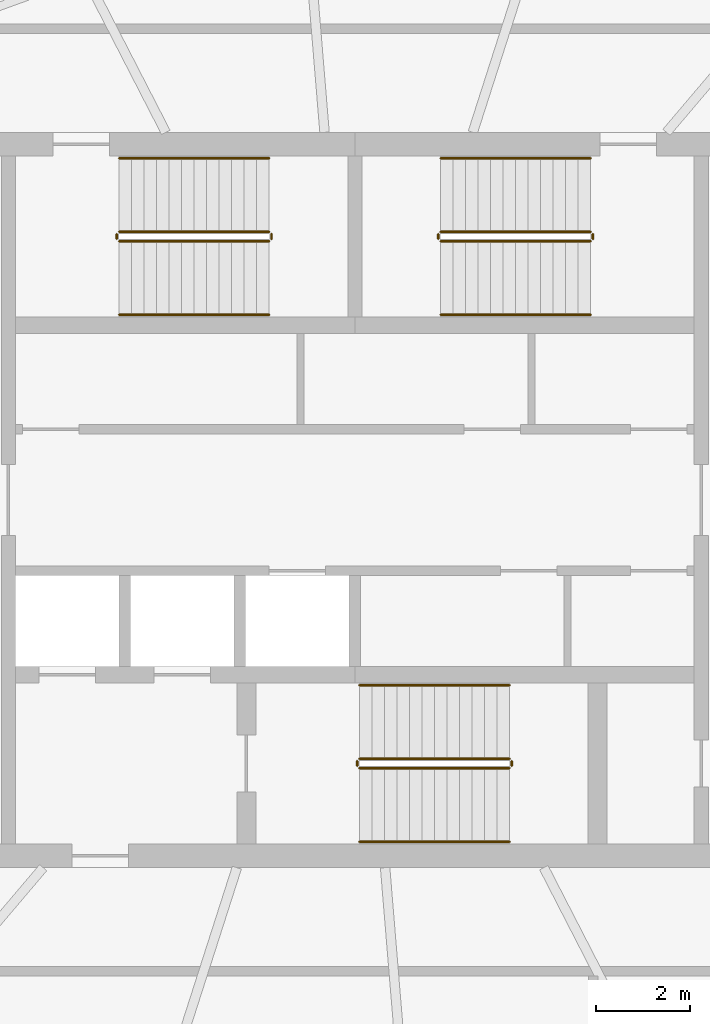
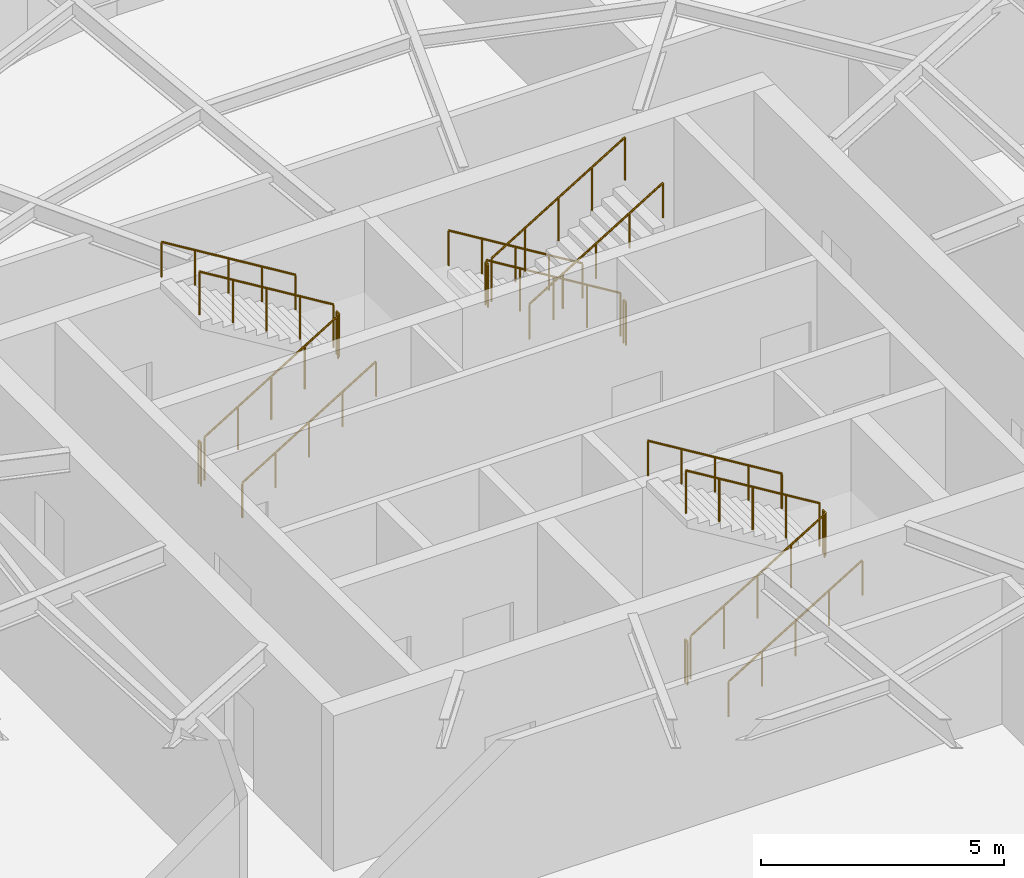
# One storey, part 11 of 11: 18 railings.
"""IFC4 building model written with IfcOpenShell, lengths in metres."""

from ifc_helpers import new_model, si_unit, direction, frame, origin, origin_2d, place, context, subcontext, project, spatial, circle, extrude, material, type_object, element, save


model = new_model("IFC4")

# Units and contexts
model_context = context("Model", 3, precision=1e-05, world=origin(), true_north=direction((0.0, 1.0)))
body_context = subcontext(model_context, "Body", "Model", "MODEL_VIEW")
ifc_project = project(units=[si_unit("LENGTHUNIT", "METRE"), si_unit("AREAUNIT", "SQUARE_METRE"), si_unit("VOLUMEUNIT", "CUBIC_METRE"), si_unit("PLANEANGLEUNIT", "RADIAN"), si_unit("MASSUNIT", "GRAM", prefix="KILO")], contexts=[model_context])

# Site, building, storey
site_placement = place(None, origin())
site = spatial("IfcSite", under=ifc_project, at=site_placement, CompositionType="ELEMENT")
building_placement = place(site_placement, origin())
building = spatial("IfcBuilding", under=site, at=building_placement, Name="Vermilion Reach Broadcast Tower", CompositionType="ELEMENT")
storey_placement = place(building_placement, frame((0.0, 0.0, 317.10009765625)))
storey = spatial("IfcBuildingStorey", under=building, at=storey_placement, Name="L79 CROWN", CompositionType="ELEMENT", Elevation=317.10009765625)

# Railings
ifc_material_1 = material(Name="Stainless steel", Category="steel")
railing_type_1 = type_object("IfcRailingType", Name="Stair guard 1100", PredefinedType="GUARDRAIL", material=ifc_material_1)
railing_1_placement = place(storey_placement, frame((-11.0, 5.489990234375, 0.161376953125)))
element("IfcRailing", 1, at=railing_1_placement, inside=storey, type_object=railing_type_1, Name="L79 CROWN ST1 stair guard 1", PredefinedType="GUARDRAIL", context=body_context, shape_type="SweptSolid", body=[
    extrude(circle(Radius=0.02392578125, at=origin_2d()), frame((0.0, 0.0, 1.076171875), z_axis=(0.853856579767, 0.0, 0.520508348818), x_axis=(0.0, 1.0, 0.0)), (0.0, 0.0, 1.0), 3.72412109375),
    extrude(circle(Radius=0.02099609375, at=origin_2d()), origin(), (0.0, 0.0, 1.0), 1.052001953125),
    extrude(circle(Radius=0.02099609375, at=origin_2d()), frame((0.794921875, 0.0, 0.484619140625)), (0.0, 0.0, 1.0), 1.052001953125),
    extrude(circle(Radius=0.02099609375, at=origin_2d()), frame((1.58984375, 0.0, 0.96923828125)), (0.0, 0.0, 1.0), 1.052001953125),
    extrude(circle(Radius=0.02099609375, at=origin_2d()), frame((2.385009765625, 0.0, 1.453857421875)), (0.0, 0.0, 1.0), 1.052001953125),
    extrude(circle(Radius=0.02099609375, at=origin_2d()), frame((3.179931640625, 0.0, 1.9384765625)), (0.0, 0.0, 1.0), 1.052001953125),
])
railing_2_placement = place(storey_placement, frame((-7.77001953125, 5.5400390625, 2.099853515625)))
element("IfcRailing", 2, at=railing_2_placement, inside=storey, type_object=railing_type_1, Name="L79 CROWN ST1 stair guard 2", PredefinedType="GUARDRAIL", context=body_context, shape_type="SweptSolid", body=[
    extrude(circle(Radius=0.02392578125, at=origin_2d()), frame((0.0, 0.0, 1.076171875), z_axis=(0.0, 1.0, 0.0), x_axis=(-1.0, 0.0, 0.0)), (0.0, 0.0, 1.0), 0.099853515625),
    extrude(circle(Radius=0.02099609375, at=origin_2d()), origin(), (0.0, 0.0, 1.0), 1.052001953125),
    extrude(circle(Radius=0.02099609375, at=origin_2d()), frame((0.0, 0.099853515625, 0.0)), (0.0, 0.0, 1.0), 1.052001953125),
])
railing_3_placement = place(storey_placement, frame((-7.820068359375, 5.68994140625, 2.261474609375)))
element("IfcRailing", 3, at=railing_3_placement, inside=storey, type_object=railing_type_1, Name="L79 CROWN ST1 stair guard 3", PredefinedType="GUARDRAIL", context=body_context, shape_type="SweptSolid", body=[
    extrude(circle(Radius=0.02392578125, at=origin_2d()), frame((0.0, 0.0, 1.076171875), z_axis=(-0.853856579767, 0.0, 0.520508348818), x_axis=(0.0, -1.0, 0.0)), (0.0, 0.0, 1.0), 3.72412109375),
    extrude(circle(Radius=0.02099609375, at=origin_2d()), origin(), (0.0, 0.0, 1.0), 1.052001953125),
    extrude(circle(Radius=0.02099609375, at=origin_2d()), frame((-0.794921875, 0.0, 0.484619140625)), (0.0, 0.0, 1.0), 1.052001953125),
    extrude(circle(Radius=0.02099609375, at=origin_2d()), frame((-1.58984375, 0.0, 0.96923828125)), (0.0, 0.0, 1.0), 1.052001953125),
    extrude(circle(Radius=0.02099609375, at=origin_2d()), frame((-2.385009765625, 0.0, 1.453857421875)), (0.0, 0.0, 1.0), 1.052001953125),
    extrude(circle(Radius=0.02099609375, at=origin_2d()), frame((-3.179931640625, 0.0, 1.9384765625)), (0.0, 0.0, 1.0), 1.052001953125),
])
railing_4_placement = place(storey_placement, frame((-11.050048828125, 5.5400390625, 0.0)))
element("IfcRailing", 4, at=railing_4_placement, inside=storey, type_object=railing_type_1, Name="L79 CROWN ST1 stair guard 4", PredefinedType="GUARDRAIL", context=body_context, shape_type="SweptSolid", body=[
    extrude(circle(Radius=0.02392578125, at=origin_2d()), frame((0.0, 0.0, 1.076171875), z_axis=(0.0, 1.0, 0.0), x_axis=(-1.0, 0.0, 0.0)), (0.0, 0.0, 1.0), 0.099853515625),
    extrude(circle(Radius=0.02099609375, at=origin_2d()), origin(), (0.0, 0.0, 1.0), 1.052001953125),
    extrude(circle(Radius=0.02099609375, at=origin_2d()), frame((0.0, 0.099853515625, 0.0)), (0.0, 0.0, 1.0), 1.052001953125),
])
railing_5_placement = place(storey_placement, frame((-1.0, 5.68994140625, 0.161376953125)))
element("IfcRailing", 5, at=railing_5_placement, inside=storey, type_object=railing_type_1, Name="L79 CROWN ST2 stair guard 1", PredefinedType="GUARDRAIL", context=body_context, shape_type="SweptSolid", body=[
    extrude(circle(Radius=0.02392578125, at=origin_2d()), frame((0.0, 0.0, 1.076171875), z_axis=(-0.853856579767, 0.0, 0.520508348818), x_axis=(0.0, -1.0, 0.0)), (0.0, 0.0, 1.0), 3.72412109375),
    extrude(circle(Radius=0.02099609375, at=origin_2d()), origin(), (0.0, 0.0, 1.0), 1.052001953125),
    extrude(circle(Radius=0.02099609375, at=origin_2d()), frame((-0.794921875, 0.0, 0.484619140625)), (0.0, 0.0, 1.0), 1.052001953125),
    extrude(circle(Radius=0.02099609375, at=origin_2d()), frame((-1.58984375, 0.0, 0.96923828125)), (0.0, 0.0, 1.0), 1.052001953125),
    extrude(circle(Radius=0.02099609375, at=origin_2d()), frame((-2.385009765625, 0.0, 1.453857421875)), (0.0, 0.0, 1.0), 1.052001953125),
    extrude(circle(Radius=0.02099609375, at=origin_2d()), frame((-3.179931640625, 0.0, 1.9384765625)), (0.0, 0.0, 1.0), 1.052001953125),
])
railing_6_placement = place(storey_placement, frame((-4.22998046875, 5.639892578125, 2.099853515625)))
element("IfcRailing", 6, at=railing_6_placement, inside=storey, type_object=railing_type_1, Name="L79 CROWN ST2 stair guard 2", PredefinedType="GUARDRAIL", context=body_context, shape_type="SweptSolid", body=[
    extrude(circle(Radius=0.02392578125, at=origin_2d()), frame((0.0, 0.0, 1.076171875), z_axis=(0.0, -1.0, 0.0), x_axis=(1.0, 0.0, 0.0)), (0.0, 0.0, 1.0), 0.099853515625),
    extrude(circle(Radius=0.02099609375, at=origin_2d()), origin(), (0.0, 0.0, 1.0), 1.052001953125),
    extrude(circle(Radius=0.02099609375, at=origin_2d()), frame((0.0, -0.099853515625, 0.0)), (0.0, 0.0, 1.0), 1.052001953125),
])
railing_7_placement = place(storey_placement, frame((-4.179931640625, 5.489990234375, 2.261474609375)))
element("IfcRailing", 7, at=railing_7_placement, inside=storey, type_object=railing_type_1, Name="L79 CROWN ST2 stair guard 3", PredefinedType="GUARDRAIL", context=body_context, shape_type="SweptSolid", body=[
    extrude(circle(Radius=0.02392578125, at=origin_2d()), frame((0.0, 0.0, 1.076171875), z_axis=(0.853856579767, 0.0, 0.520508348818), x_axis=(0.0, 1.0, 0.0)), (0.0, 0.0, 1.0), 3.72412109375),
    extrude(circle(Radius=0.02099609375, at=origin_2d()), origin(), (0.0, 0.0, 1.0), 1.052001953125),
    extrude(circle(Radius=0.02099609375, at=origin_2d()), frame((0.794921875, 0.0, 0.484619140625)), (0.0, 0.0, 1.0), 1.052001953125),
    extrude(circle(Radius=0.02099609375, at=origin_2d()), frame((1.58984375, 0.0, 0.96923828125)), (0.0, 0.0, 1.0), 1.052001953125),
    extrude(circle(Radius=0.02099609375, at=origin_2d()), frame((2.385009765625, 0.0, 1.453857421875)), (0.0, 0.0, 1.0), 1.052001953125),
    extrude(circle(Radius=0.02099609375, at=origin_2d()), frame((3.179931640625, 0.0, 1.9384765625)), (0.0, 0.0, 1.0), 1.052001953125),
])
railing_8_placement = place(storey_placement, frame((-0.949951171875, 5.639892578125, 0.0)))
element("IfcRailing", 8, at=railing_8_placement, inside=storey, type_object=railing_type_1, Name="L79 CROWN ST2 stair guard 4", PredefinedType="GUARDRAIL", context=body_context, shape_type="SweptSolid", body=[
    extrude(circle(Radius=0.02392578125, at=origin_2d()), frame((0.0, 0.0, 1.076171875), z_axis=(0.0, -1.0, 0.0), x_axis=(1.0, 0.0, 0.0)), (0.0, 0.0, 1.0), 0.099853515625),
    extrude(circle(Radius=0.02099609375, at=origin_2d()), origin(), (0.0, 0.0, 1.0), 1.052001953125),
    extrude(circle(Radius=0.02099609375, at=origin_2d()), frame((0.0, -0.099853515625, 0.0)), (0.0, 0.0, 1.0), 1.052001953125),
])
railing_9_placement = place(storey_placement, frame((-5.89990234375, -5.68994140625, 0.161376953125)))
element("IfcRailing", 9, at=railing_9_placement, inside=storey, type_object=railing_type_1, Name="L79 CROWN ST3 stair guard 1", PredefinedType="GUARDRAIL", context=body_context, shape_type="SweptSolid", body=[
    extrude(circle(Radius=0.02392578125, at=origin_2d()), frame((0.0, 0.0, 1.076171875), z_axis=(0.853856579767, 0.0, 0.520508348818), x_axis=(0.0, 1.0, 0.0)), (0.0, 0.0, 1.0), 3.72412109375),
    extrude(circle(Radius=0.02099609375, at=origin_2d()), origin(), (0.0, 0.0, 1.0), 1.052001953125),
    extrude(circle(Radius=0.02099609375, at=origin_2d()), frame((0.794921875, 0.0, 0.484619140625)), (0.0, 0.0, 1.0), 1.052001953125),
    extrude(circle(Radius=0.02099609375, at=origin_2d()), frame((1.58984375, 0.0, 0.96923828125)), (0.0, 0.0, 1.0), 1.052001953125),
    extrude(circle(Radius=0.02099609375, at=origin_2d()), frame((2.385009765625, 0.0, 1.453857421875)), (0.0, 0.0, 1.0), 1.052001953125),
    extrude(circle(Radius=0.02099609375, at=origin_2d()), frame((3.179931640625, 0.0, 1.9384765625)), (0.0, 0.0, 1.0), 1.052001953125),
])
railing_10_placement = place(storey_placement, frame((-2.669921875, -5.639892578125, 2.099853515625)))
element("IfcRailing", 10, at=railing_10_placement, inside=storey, type_object=railing_type_1, Name="L79 CROWN ST3 stair guard 2", PredefinedType="GUARDRAIL", context=body_context, shape_type="SweptSolid", body=[
    extrude(circle(Radius=0.02392578125, at=origin_2d()), frame((0.0, 0.0, 1.076171875), z_axis=(0.0, 1.0, 0.0), x_axis=(-1.0, 0.0, 0.0)), (0.0, 0.0, 1.0), 0.099853515625),
    extrude(circle(Radius=0.02099609375, at=origin_2d()), origin(), (0.0, 0.0, 1.0), 1.052001953125),
    extrude(circle(Radius=0.02099609375, at=origin_2d()), frame((0.0, 0.099853515625, 0.0)), (0.0, 0.0, 1.0), 1.052001953125),
])
railing_11_placement = place(storey_placement, frame((-2.719970703125, -5.489990234375, 2.261474609375)))
element("IfcRailing", 11, at=railing_11_placement, inside=storey, type_object=railing_type_1, Name="L79 CROWN ST3 stair guard 3", PredefinedType="GUARDRAIL", context=body_context, shape_type="SweptSolid", body=[
    extrude(circle(Radius=0.02392578125, at=origin_2d()), frame((0.0, 0.0, 1.076171875), z_axis=(-0.853856579767, 0.0, 0.520508348818), x_axis=(0.0, -1.0, 0.0)), (0.0, 0.0, 1.0), 3.72412109375),
    extrude(circle(Radius=0.02099609375, at=origin_2d()), origin(), (0.0, 0.0, 1.0), 1.052001953125),
    extrude(circle(Radius=0.02099609375, at=origin_2d()), frame((-0.794921875, 0.0, 0.484619140625)), (0.0, 0.0, 1.0), 1.052001953125),
    extrude(circle(Radius=0.02099609375, at=origin_2d()), frame((-1.58984375, 0.0, 0.96923828125)), (0.0, 0.0, 1.0), 1.052001953125),
    extrude(circle(Radius=0.02099609375, at=origin_2d()), frame((-2.385009765625, 0.0, 1.453857421875)), (0.0, 0.0, 1.0), 1.052001953125),
    extrude(circle(Radius=0.02099609375, at=origin_2d()), frame((-3.179931640625, 0.0, 1.9384765625)), (0.0, 0.0, 1.0), 1.052001953125),
])
railing_12_placement = place(storey_placement, frame((-5.949951171875, -5.639892578125, 0.0)))
element("IfcRailing", 12, at=railing_12_placement, inside=storey, type_object=railing_type_1, Name="L79 CROWN ST3 stair guard 4", PredefinedType="GUARDRAIL", context=body_context, shape_type="SweptSolid", body=[
    extrude(circle(Radius=0.02392578125, at=origin_2d()), frame((0.0, 0.0, 1.076171875), z_axis=(0.0, 1.0, 0.0), x_axis=(-1.0, 0.0, 0.0)), (0.0, 0.0, 1.0), 0.099853515625),
    extrude(circle(Radius=0.02099609375, at=origin_2d()), origin(), (0.0, 0.0, 1.0), 1.052001953125),
    extrude(circle(Radius=0.02099609375, at=origin_2d()), frame((0.0, 0.099853515625, 0.0)), (0.0, 0.0, 1.0), 1.052001953125),
])
ifc_material_2 = material(Name="Stainless steel", Category="steel")
railing_type_2 = type_object("IfcRailingType", Name="Stair handrail", PredefinedType="HANDRAIL", material=ifc_material_2)
railing_13_placement = place(storey_placement, frame((-11.0, 3.929931640625, 0.161376953125)))
element("IfcRailing", 13, at=railing_13_placement, inside=storey, type_object=railing_type_2, Name="L79 CROWN ST1 stair handrail 1", PredefinedType="HANDRAIL", context=body_context, shape_type="SweptSolid", body=[
    extrude(circle(Radius=0.02392578125, at=origin_2d()), frame((0.0, 0.0, 0.8759765625), z_axis=(0.853856579767, 0.0, 0.520508348818), x_axis=(0.0, 1.0, 0.0)), (0.0, 0.0, 1.0), 3.72412109375),
    extrude(circle(Radius=0.02099609375, at=origin_2d()), origin(), (0.0, 0.0, 1.0), 0.851806640625),
    extrude(circle(Radius=0.02099609375, at=origin_2d()), frame((0.794921875, 0.0, 0.484619140625)), (0.0, 0.0, 1.0), 0.851806640625),
    extrude(circle(Radius=0.02099609375, at=origin_2d()), frame((1.58984375, 0.0, 0.96923828125)), (0.0, 0.0, 1.0), 0.851806640625),
    extrude(circle(Radius=0.02099609375, at=origin_2d()), frame((2.385009765625, 0.0, 1.453857421875)), (0.0, 0.0, 1.0), 0.851806640625),
    extrude(circle(Radius=0.02099609375, at=origin_2d()), frame((3.179931640625, 0.0, 1.9384765625)), (0.0, 0.0, 1.0), 0.851806640625),
])
for number, where, name in (
    (14, (-7.820068359375, 7.25, 2.261474609375), "L79 CROWN ST1 stair handrail 2"),
    (15, (-1.0, 7.25, 0.161376953125), "L79 CROWN ST2 stair handrail 1"),
):
    element("IfcRailing", number, at=place(storey_placement, frame(where)), inside=storey, type_object=railing_type_2, Name=name, PredefinedType="HANDRAIL", context=body_context, shape_type="SweptSolid", body=[
        extrude(circle(Radius=0.02392578125, at=origin_2d()), frame((0.0, 0.0, 0.8759765625), z_axis=(-0.853856579767, 0.0, 0.520508348818), x_axis=(0.0, -1.0, 0.0)), (0.0, 0.0, 1.0), 3.72412109375),
        extrude(circle(Radius=0.02099609375, at=origin_2d()), origin(), (0.0, 0.0, 1.0), 0.851806640625),
        extrude(circle(Radius=0.02099609375, at=origin_2d()), frame((-0.794921875, 0.0, 0.484619140625)), (0.0, 0.0, 1.0), 0.851806640625),
        extrude(circle(Radius=0.02099609375, at=origin_2d()), frame((-1.58984375, 0.0, 0.96923828125)), (0.0, 0.0, 1.0), 0.851806640625),
        extrude(circle(Radius=0.02099609375, at=origin_2d()), frame((-2.385009765625, 0.0, 1.453857421875)), (0.0, 0.0, 1.0), 0.851806640625),
        extrude(circle(Radius=0.02099609375, at=origin_2d()), frame((-3.179931640625, 0.0, 1.9384765625)), (0.0, 0.0, 1.0), 0.851806640625),
    ])
for number, where, name in (
    (16, (-4.179931640625, 3.929931640625, 2.261474609375), "L79 CROWN ST2 stair handrail 2"),
    (17, (-5.89990234375, -7.25, 0.161376953125), "L79 CROWN ST3 stair handrail 1"),
):
    element("IfcRailing", number, at=place(storey_placement, frame(where)), inside=storey, type_object=railing_type_2, Name=name, PredefinedType="HANDRAIL", context=body_context, shape_type="SweptSolid", body=[
        extrude(circle(Radius=0.02392578125, at=origin_2d()), frame((0.0, 0.0, 0.8759765625), z_axis=(0.853856579767, 0.0, 0.520508348818), x_axis=(0.0, 1.0, 0.0)), (0.0, 0.0, 1.0), 3.72412109375),
        extrude(circle(Radius=0.02099609375, at=origin_2d()), origin(), (0.0, 0.0, 1.0), 0.851806640625),
        extrude(circle(Radius=0.02099609375, at=origin_2d()), frame((0.794921875, 0.0, 0.484619140625)), (0.0, 0.0, 1.0), 0.851806640625),
        extrude(circle(Radius=0.02099609375, at=origin_2d()), frame((1.58984375, 0.0, 0.96923828125)), (0.0, 0.0, 1.0), 0.851806640625),
        extrude(circle(Radius=0.02099609375, at=origin_2d()), frame((2.385009765625, 0.0, 1.453857421875)), (0.0, 0.0, 1.0), 0.851806640625),
        extrude(circle(Radius=0.02099609375, at=origin_2d()), frame((3.179931640625, 0.0, 1.9384765625)), (0.0, 0.0, 1.0), 0.851806640625),
    ])
railing_14_placement = place(storey_placement, frame((-2.719970703125, -3.929931640625, 2.261474609375)))
element("IfcRailing", 18, at=railing_14_placement, inside=storey, type_object=railing_type_2, Name="L79 CROWN ST3 stair handrail 2", PredefinedType="HANDRAIL", context=body_context, shape_type="SweptSolid", body=[
    extrude(circle(Radius=0.02392578125, at=origin_2d()), frame((0.0, 0.0, 0.8759765625), z_axis=(-0.853856579767, 0.0, 0.520508348818), x_axis=(0.0, -1.0, 0.0)), (0.0, 0.0, 1.0), 3.72412109375),
    extrude(circle(Radius=0.02099609375, at=origin_2d()), origin(), (0.0, 0.0, 1.0), 0.851806640625),
    extrude(circle(Radius=0.02099609375, at=origin_2d()), frame((-0.794921875, 0.0, 0.484619140625)), (0.0, 0.0, 1.0), 0.851806640625),
    extrude(circle(Radius=0.02099609375, at=origin_2d()), frame((-1.58984375, 0.0, 0.96923828125)), (0.0, 0.0, 1.0), 0.851806640625),
    extrude(circle(Radius=0.02099609375, at=origin_2d()), frame((-2.385009765625, 0.0, 1.453857421875)), (0.0, 0.0, 1.0), 0.851806640625),
    extrude(circle(Radius=0.02099609375, at=origin_2d()), frame((-3.179931640625, 0.0, 1.9384765625)), (0.0, 0.0, 1.0), 0.851806640625),
])

save(model, "model.ifc")
